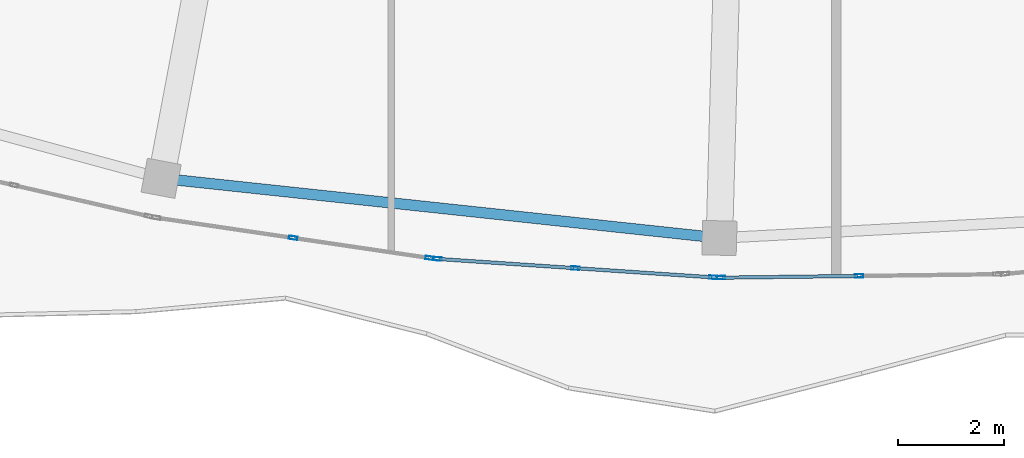
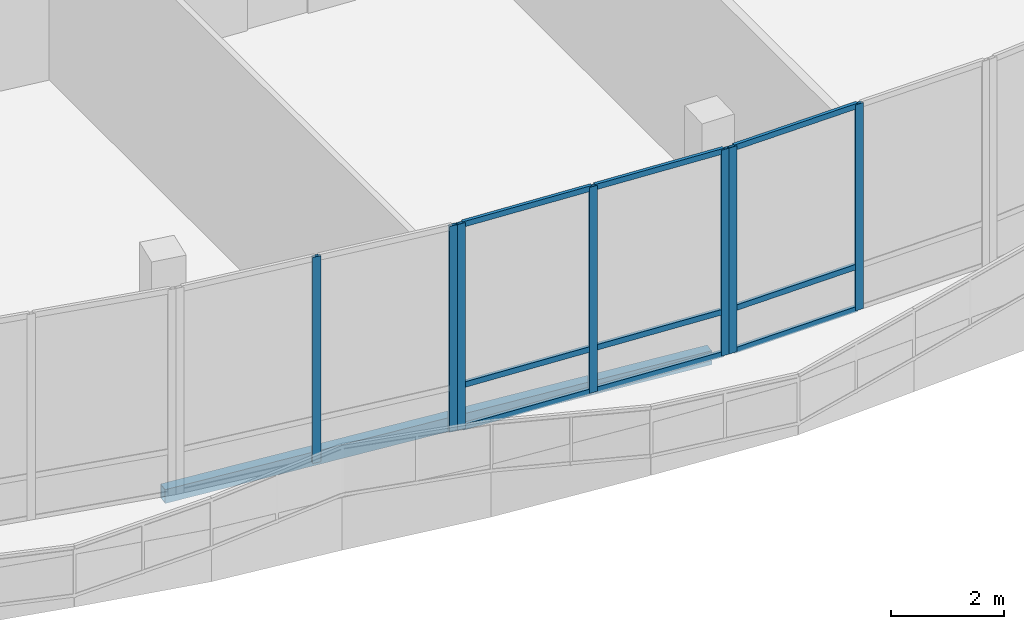
# One storey, part 19 of 155: 16 members, 1 beam, 3 elements without a shape of their own.
"""IFC4 building model written with IfcOpenShell, lengths in metres."""

from ifc_helpers import new_model, si_unit, direction, frame, origin, origin_2d, place, context, subcontext, project, spatial, hollow_rectangle, extrude, material, material_profile, profile_set, type_object, element, aggregate, save


model = new_model("IFC4")

# Units and contexts
model_context = context("Model", 3, precision=1e-05, world=origin(), true_north=direction((0.0, 1.0)))
body_context = subcontext(model_context, "Body", "Model", "MODEL_VIEW")
ifc_project = project(units=[si_unit("LENGTHUNIT", "METRE"), si_unit("AREAUNIT", "SQUARE_METRE"), si_unit("VOLUMEUNIT", "CUBIC_METRE"), si_unit("PLANEANGLEUNIT", "RADIAN"), si_unit("MASSUNIT", "GRAM", prefix="KILO")], contexts=[model_context])

# Site, building, storey
site_placement = place(None, origin())
site = spatial("IfcSite", under=ifc_project, at=site_placement, CompositionType="ELEMENT")
building_placement = place(site_placement, origin())
building = spatial("IfcBuilding", under=site, at=building_placement, Name="Selatvlak General Hospital", CompositionType="ELEMENT")
storey_placement = place(building_placement, frame((0.0, 0.0, 10.199951171875)))
storey = spatial("IfcBuildingStorey", under=building, at=storey_placement, Name="L02", CompositionType="ELEMENT", Elevation=10.199951171875)

# Beam
ifc_material_1 = material(Name="Steel S355", Category="steel")
ifc_material_profile_1 = material_profile(ifc_material_1, hollow_rectangle(XDim=0.199951171875, YDim=0.300048828125, WallThickness=0.011962890625, at=origin_2d()), Name="RHS 300x200x12")
ifc_profile_set_1 = profile_set([ifc_material_profile_1], Name="Steel S355")
beam_type = type_object("IfcBeamType", Name="BM-SP3", PredefinedType="SPANDREL", material=ifc_profile_set_1)
beam_placement = place(storey_placement, frame((43.652099609375, 13.902099609375, -0.5048828125), z_axis=(0.99433421111, -0.106298996311, 0.0), x_axis=(0.106298996311, 0.99433421111, 0.0)))
element("IfcBeam", 1, at=beam_placement, inside=storey, type_object=beam_type, Name="Beam BMR-L02-1140", PredefinedType="SPANDREL", context=body_context, shape_type="SweptSolid", body=[
    extrude(hollow_rectangle(XDim=0.199951171875, YDim=0.300048828125, WallThickness=0.011962890625, at=origin_2d()), origin(), (0.0, 0.0, 1.0), 10.60400390625),
])

# Curtain wall, members
ifc_material_2 = material(Name="Solar-control Low-E double glazing", Category="glass")
curtain_wall_type_1 = type_object("IfcCurtainWallType", Name="CW-CW-02", PredefinedType="USERDEFINED", material=ifc_material_2)
curtain_wall_1_placement = place(storey_placement, origin())
curtain_wall_1 = element("IfcCurtainWall", 2, at=curtain_wall_1_placement, inside=storey, type_object=curtain_wall_type_1, Name="Glazed facade curtain wall CW-L02-0306", ObjectType="UNITISED CURTAIN WALL", PredefinedType="USERDEFINED")
ifc_material_3 = material(Name="Dark anodised aluminium mullion", Category="aluminium")
ifc_material_profile_2 = material_profile(ifc_material_3, hollow_rectangle(XDim=0.06494140625, YDim=0.159912109375, WallThickness=0.00390625, at=origin_2d()), Name="AL-MUL 65x160x4")
ifc_profile_set_2 = profile_set([ifc_material_profile_2], Name="Dark anodised aluminium mullion")
member_type_1 = type_object("IfcMemberType", Name="CWM-01", PredefinedType="MULLION", material=ifc_profile_set_2)
member_1_placement = place(storey_placement, frame((56.83544921875, 12.05859375, 0.0), z_axis=(0.0, 0.0, 1.0), x_axis=(0.012671575694, -0.999919712362, 0.0)))
member_1 = element("IfcMember", 3, at=member_1_placement, type_object=member_type_1, Name="CW-02 mullion 2", PredefinedType="MULLION", context=body_context, shape_type="SweptSolid", body=[
    extrude(hollow_rectangle(XDim=0.06494140625, YDim=0.159912109375, WallThickness=0.00390625, at=origin_2d()), origin(), (0.0, 0.0, 1.0), 4.4599609375),
])
member_2_placement = place(storey_placement, frame((54.224609375, 12.025390625, 0.0), z_axis=(0.0, 0.0, 1.0), x_axis=(0.012671575694, -0.999919712362, 0.0)))
member_2 = element("IfcMember", 4, at=member_2_placement, type_object=member_type_1, Name="CW-02 mullion 3", PredefinedType="MULLION", context=body_context, shape_type="SweptSolid", body=[
    extrude(hollow_rectangle(XDim=0.06494140625, YDim=0.159912109375, WallThickness=0.00390625, at=origin_2d()), origin(), (0.0, 0.0, 1.0), 4.4599609375),
])

curtain_wall_type_2 = type_object("IfcCurtainWallType", Name="CW-CW-01", PredefinedType="USERDEFINED", material=ifc_material_2)
curtain_wall_2_placement = place(storey_placement, origin())
curtain_wall_2 = element("IfcCurtainWall", 5, at=curtain_wall_2_placement, inside=storey, type_object=curtain_wall_type_2, Name="Glazed facade curtain wall CW-L02-0307", ObjectType="UNITISED CURTAIN WALL", PredefinedType="USERDEFINED")
member_3_placement = place(storey_placement, frame((54.07958984375, 12.03125, 0.0), z_axis=(0.0, 0.0, 1.0), x_axis=(-0.066782696801, -0.997767543774, 0.0)))
member_3 = element("IfcMember", 6, at=member_3_placement, type_object=member_type_1, Name="CW-01 mullion 1", PredefinedType="MULLION", context=body_context, shape_type="SweptSolid", body=[
    extrude(hollow_rectangle(XDim=0.06494140625, YDim=0.159912109375, WallThickness=0.00390625, at=origin_2d()), origin(), (0.0, 0.0, 1.0), 4.4599609375),
])
member_4_placement = place(storey_placement, frame((51.47509765625, 12.20556640625, 0.0), z_axis=(0.0, 0.0, 1.0), x_axis=(-0.066782696801, -0.997767543774, 0.0)))
member_4 = element("IfcMember", 7, at=member_4_placement, type_object=member_type_1, Name="CW-01 mullion 2", PredefinedType="MULLION", context=body_context, shape_type="SweptSolid", body=[
    extrude(hollow_rectangle(XDim=0.06494140625, YDim=0.159912109375, WallThickness=0.00390625, at=origin_2d()), origin(), (0.0, 0.0, 1.0), 4.4599609375),
])
member_5_placement = place(storey_placement, frame((48.870361328125, 12.3798828125, 0.0), z_axis=(0.0, 0.0, 1.0), x_axis=(-0.066782696801, -0.997767543774, 0.0)))
member_5 = element("IfcMember", 8, at=member_5_placement, type_object=member_type_1, Name="CW-01 mullion 3", PredefinedType="MULLION", context=body_context, shape_type="SweptSolid", body=[
    extrude(hollow_rectangle(XDim=0.06494140625, YDim=0.159912109375, WallThickness=0.00390625, at=origin_2d()), origin(), (0.0, 0.0, 1.0), 4.4599609375),
])

curtain_wall_3_placement = place(storey_placement, origin())
curtain_wall_3 = element("IfcCurtainWall", 9, at=curtain_wall_3_placement, inside=storey, type_object=curtain_wall_type_1, Name="Glazed facade curtain wall CW-L02-0308", ObjectType="UNITISED CURTAIN WALL", PredefinedType="USERDEFINED")
member_6_placement = place(storey_placement, frame((48.726806640625, 12.396728515625, 0.0), z_axis=(0.0, 0.0, 1.0), x_axis=(-0.145842510319, -0.989307819732, 0.0)))
member_6 = element("IfcMember", 10, at=member_6_placement, type_object=member_type_1, Name="CW-02 mullion 1", PredefinedType="MULLION", context=body_context, shape_type="SweptSolid", body=[
    extrude(hollow_rectangle(XDim=0.06494140625, YDim=0.159912109375, WallThickness=0.00390625, at=origin_2d()), origin(), (0.0, 0.0, 1.0), 4.4599609375),
])
member_7_placement = place(storey_placement, frame((46.14404296875, 12.777587890625, 0.0), z_axis=(0.0, 0.0, 1.0), x_axis=(-0.145842510319, -0.989307819732, 0.0)))
member_7 = element("IfcMember", 11, at=member_7_placement, type_object=member_type_1, Name="CW-02 mullion 2", PredefinedType="MULLION", context=body_context, shape_type="SweptSolid", body=[
    extrude(hollow_rectangle(XDim=0.06494140625, YDim=0.159912109375, WallThickness=0.00390625, at=origin_2d()), origin(), (0.0, 0.0, 1.0), 4.4599609375),
])
aggregate(curtain_wall_3, [member_6, member_7])

# Member
ifc_material_profile_3 = material_profile(ifc_material_3, hollow_rectangle(XDim=0.06494140625, YDim=0.1201171875, WallThickness=0.00390625, at=origin_2d()), Name="AL-TRN 65x120x4")
ifc_profile_set_3 = profile_set([ifc_material_profile_3], Name="Dark anodised aluminium mullion")
member_type_2 = type_object("IfcMemberType", Name="CWT-01", PredefinedType="USERDEFINED", material=ifc_profile_set_3)
member_8_placement = place(storey_placement, frame((56.802978515625, 12.05810546875, 0.032470703125), z_axis=(-0.99991989426, -0.012657213851, 0.0), x_axis=(0.012657213851, -0.99991989426, 0.0)))
member_8 = element("IfcMember", 12, at=member_8_placement, type_object=member_type_2, Name="CW-02 transom 2.1", ObjectType="TRANSOM", PredefinedType="USERDEFINED", context=body_context, shape_type="SweptSolid", body=[
    extrude(hollow_rectangle(XDim=0.06494140625, YDim=0.1201171875, WallThickness=0.00390625, at=origin_2d()), origin(), (0.0, 0.0, 1.0), 2.546142578125),
])

member_9_placement = place(storey_placement, frame((56.802978515625, 12.05810546875, 0.949951171875), z_axis=(-0.99991989426, -0.012657213851, 0.0), x_axis=(0.012657213851, -0.99991989426, 0.0)))
member_9 = element("IfcMember", 13, at=member_9_placement, type_object=member_type_2, Name="CW-02 transom 2.2", ObjectType="TRANSOM", PredefinedType="USERDEFINED", context=body_context, shape_type="SweptSolid", body=[
    extrude(hollow_rectangle(XDim=0.06494140625, YDim=0.1201171875, WallThickness=0.00390625, at=origin_2d()), origin(), (0.0, 0.0, 1.0), 2.546142578125),
])

member_10_placement = place(storey_placement, frame((56.802978515625, 12.05810546875, 4.427490234375), z_axis=(-0.99991989426, -0.012657213851, 0.0), x_axis=(0.012657213851, -0.99991989426, 0.0)))
member_10 = element("IfcMember", 14, at=member_10_placement, type_object=member_type_2, Name="CW-02 transom 2.3", ObjectType="TRANSOM", PredefinedType="USERDEFINED", context=body_context, shape_type="SweptSolid", body=[
    extrude(hollow_rectangle(XDim=0.06494140625, YDim=0.1201171875, WallThickness=0.00390625, at=origin_2d()), origin(), (0.0, 0.0, 1.0), 2.546142578125),
])

aggregate(curtain_wall_1, [member_1, member_2, member_8, member_9, member_10])

member_11_placement = place(storey_placement, frame((54.047119140625, 12.033447265625, 0.032470703125), z_axis=(-0.997769427698, 0.066754544043, 0.0), x_axis=(-0.066754544043, -0.997769427698, 0.0)))
member_11 = element("IfcMember", 15, at=member_11_placement, type_object=member_type_2, Name="CW-01 transom 1.1", ObjectType="TRANSOM", PredefinedType="USERDEFINED", context=body_context, shape_type="SweptSolid", body=[
    extrude(hollow_rectangle(XDim=0.06494140625, YDim=0.1201171875, WallThickness=0.00390625, at=origin_2d()), origin(), (0.0, 0.0, 1.0), 2.54541015625),
])

member_12_placement = place(storey_placement, frame((54.047119140625, 12.033447265625, 0.949951171875), z_axis=(-0.997769427698, 0.066754544043, 0.0), x_axis=(-0.066754544043, -0.997769427698, 0.0)))
member_12 = element("IfcMember", 16, at=member_12_placement, type_object=member_type_2, Name="CW-01 transom 1.2", ObjectType="TRANSOM", PredefinedType="USERDEFINED", context=body_context, shape_type="SweptSolid", body=[
    extrude(hollow_rectangle(XDim=0.06494140625, YDim=0.1201171875, WallThickness=0.00390625, at=origin_2d()), origin(), (0.0, 0.0, 1.0), 2.54541015625),
])

member_13_placement = place(storey_placement, frame((54.047119140625, 12.033447265625, 4.427490234375), z_axis=(-0.997769427698, 0.066754544043, 0.0), x_axis=(-0.066754544043, -0.997769427698, 0.0)))
member_13 = element("IfcMember", 17, at=member_13_placement, type_object=member_type_2, Name="CW-01 transom 1.3", ObjectType="TRANSOM", PredefinedType="USERDEFINED", context=body_context, shape_type="SweptSolid", body=[
    extrude(hollow_rectangle(XDim=0.06494140625, YDim=0.1201171875, WallThickness=0.00390625, at=origin_2d()), origin(), (0.0, 0.0, 1.0), 2.54541015625),
])

member_14_placement = place(storey_placement, frame((51.442626953125, 12.207763671875, 0.032470703125), z_axis=(-0.997769427698, 0.066754544043, 0.0), x_axis=(-0.066754544043, -0.997769427698, 0.0)))
member_14 = element("IfcMember", 18, at=member_14_placement, type_object=member_type_2, Name="CW-01 transom 2.1", ObjectType="TRANSOM", PredefinedType="USERDEFINED", context=body_context, shape_type="SweptSolid", body=[
    extrude(hollow_rectangle(XDim=0.06494140625, YDim=0.1201171875, WallThickness=0.00390625, at=origin_2d()), origin(), (0.0, 0.0, 1.0), 2.54541015625),
])

member_15_placement = place(storey_placement, frame((51.442626953125, 12.207763671875, 0.949951171875), z_axis=(-0.997769427698, 0.066754544043, 0.0), x_axis=(-0.066754544043, -0.997769427698, 0.0)))
member_15 = element("IfcMember", 19, at=member_15_placement, type_object=member_type_2, Name="CW-01 transom 2.2", ObjectType="TRANSOM", PredefinedType="USERDEFINED", context=body_context, shape_type="SweptSolid", body=[
    extrude(hollow_rectangle(XDim=0.06494140625, YDim=0.1201171875, WallThickness=0.00390625, at=origin_2d()), origin(), (0.0, 0.0, 1.0), 2.54541015625),
])

member_16_placement = place(storey_placement, frame((51.442626953125, 12.207763671875, 4.427490234375), z_axis=(-0.997769427698, 0.066754544043, 0.0), x_axis=(-0.066754544043, -0.997769427698, 0.0)))
member_16 = element("IfcMember", 20, at=member_16_placement, type_object=member_type_2, Name="CW-01 transom 2.3", ObjectType="TRANSOM", PredefinedType="USERDEFINED", context=body_context, shape_type="SweptSolid", body=[
    extrude(hollow_rectangle(XDim=0.06494140625, YDim=0.1201171875, WallThickness=0.00390625, at=origin_2d()), origin(), (0.0, 0.0, 1.0), 2.54541015625),
])

aggregate(curtain_wall_2, [member_3, member_4, member_5, member_11, member_12, member_13, member_14, member_15, member_16])

save(model, "model.ifc")
